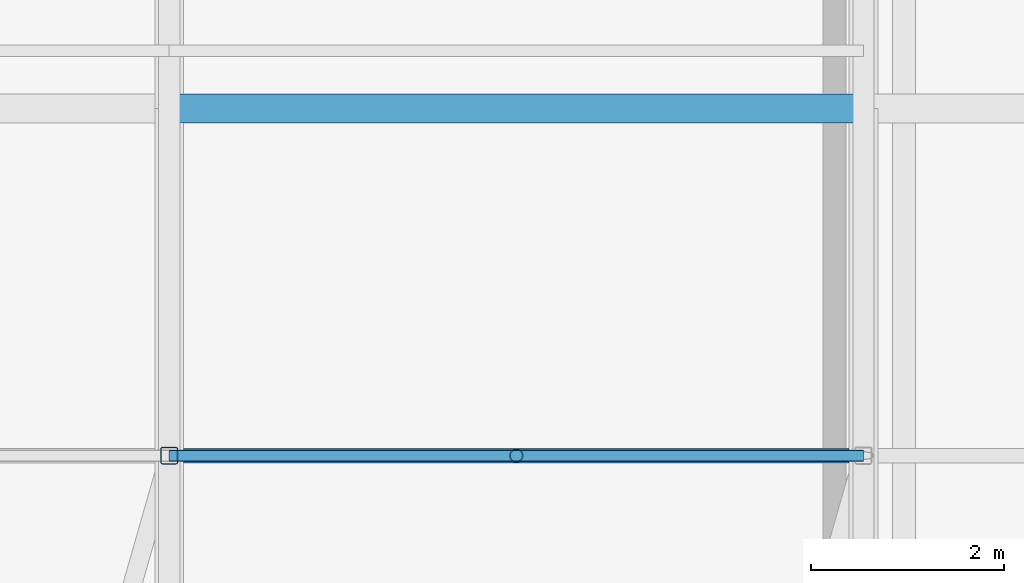
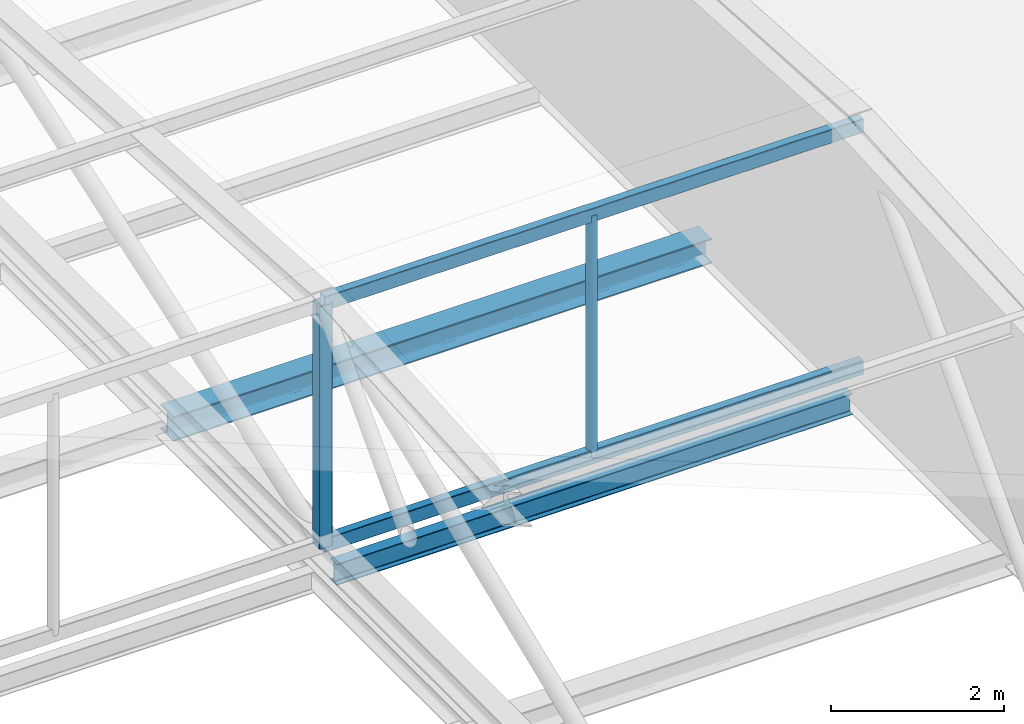
# One storey, part 34 of 76: 4 members, 2 beams.
"""IFC4 building model written with IfcOpenShell, lengths in metres."""

from ifc_helpers import new_model, si_unit, direction, frame, origin, origin_2d, place, context, subcontext, project, spatial, hollow_rectangle, hollow_circle, i_section, extrude, material, material_profile, profile_set, type_object, element, save


model = new_model("IFC4")

# Units and contexts
model_context = context("Model", 3, precision=1e-05, world=origin(), true_north=direction((0.0, 1.0)))
body_context = subcontext(model_context, "Body", "Model", "MODEL_VIEW")
ifc_project = project(units=[si_unit("LENGTHUNIT", "METRE"), si_unit("AREAUNIT", "SQUARE_METRE"), si_unit("VOLUMEUNIT", "CUBIC_METRE"), si_unit("PLANEANGLEUNIT", "RADIAN"), si_unit("MASSUNIT", "GRAM", prefix="KILO")], contexts=[model_context])

# Site, building, storey
site_placement = place(None, origin())
site = spatial("IfcSite", under=ifc_project, at=site_placement, CompositionType="ELEMENT")
building_placement = place(site_placement, origin())
building = spatial("IfcBuilding", under=site, at=building_placement, Name="Zlatovets Crest Museum", CompositionType="ELEMENT")
storey_placement = place(building_placement, frame((0.0, 0.0, 17.10009765625)))
storey = spatial("IfcBuildingStorey", under=building, at=storey_placement, Name="L04", CompositionType="ELEMENT", Elevation=17.10009765625)

# Beams
ifc_material = material(Name="Structural steel S355J2", Category="steel")
ifc_material_profile_1 = material_profile(ifc_material, i_section(OverallWidth=0.300048828125, OverallDepth=0.35009765625, WebThickness=0.010009765625, FlangeThickness=0.017578125, FilletRadius=0.027099609375, at=origin_2d()), Name="HEA 360")
ifc_profile_set_1 = profile_set([ifc_material_profile_1], Name="Structural steel S355J2")
beam_type_1 = type_object("IfcBeamType", Name="Beam_B-03", PredefinedType="BEAM", material=ifc_profile_set_1)
beam_1_placement = place(storey_placement, frame((21.60009765625, 79.199951171875, -0.39501953125), z_axis=(1.0, 0.0, 0.0), x_axis=(0.0, 1.0, 0.0)))
element("IfcBeam", 1, at=beam_1_placement, inside=storey, type_object=beam_type_1, Name="V4 L04 Primary Girder B-03", PredefinedType="BEAM", context=body_context, shape_type="SweptSolid", body=[
    extrude(i_section(OverallWidth=0.300048828125, OverallDepth=0.35009765625, WebThickness=0.010009765625, FlangeThickness=0.017578125, FilletRadius=0.027099609375, at=origin_2d()), origin(), (0.0, 0.0, 1.0), 7.199951171875),
])
ifc_material_profile_2 = material_profile(ifc_material, i_section(OverallWidth=0.14990234375, OverallDepth=0.300048828125, WebThickness=0.007080078125, FlangeThickness=0.0107421875, FilletRadius=0.014892578125, at=origin_2d()), Name="IPE 300")
ifc_profile_set_2 = profile_set([ifc_material_profile_2], Name="Structural steel S355J2")
beam_type_2 = type_object("IfcBeamType", Name="Beam_J-02", PredefinedType="JOIST", material=ifc_profile_set_2)
beam_2_placement = place(storey_placement, frame((21.75, 75.60009765625, -0.3701171875), z_axis=(1.0, 0.0, 0.0), x_axis=(0.0, 1.0, 0.0)))
element("IfcBeam", 2, at=beam_2_placement, inside=storey, type_object=beam_type_2, Name="V4 L04 Composite Joist J-02", PredefinedType="JOIST", context=body_context, shape_type="SweptSolid", body=[
    extrude(i_section(OverallWidth=0.14990234375, OverallDepth=0.300048828125, WebThickness=0.007080078125, FlangeThickness=0.0107421875, FilletRadius=0.014892578125, at=origin_2d()), origin(), (0.0, 0.0, 1.0), 6.89990234375),
])

# Members
ifc_material_profile_3 = material_profile(ifc_material, hollow_rectangle(XDim=0.179931640625, YDim=0.179931640625, WallThickness=0.010009765625, InnerFilletRadius=0.010009765625, OuterFilletRadius=0.02001953125, at=origin_2d()), Name="SHS 180x180x10.0")
ifc_profile_set_3 = profile_set([ifc_material_profile_3], Name="Structural steel S355J2")
member_type_1 = type_object("IfcMemberType", Name="Member_TM-04", PredefinedType="STRUT", material=ifc_profile_set_3)
member_1_placement = place(storey_placement, frame((21.60009765625, 75.60009765625, 0.079833984375), z_axis=(0.0, 0.0, 1.0), x_axis=(1.0, 0.0, 0.0)))
element("IfcMember", 3, at=member_1_placement, inside=storey, type_object=member_type_1, Name="V4 Barrel Vault Web Strut", PredefinedType="STRUT", context=body_context, shape_type="SweptSolid", body=[
    extrude(hollow_rectangle(XDim=0.179931640625, YDim=0.179931640625, WallThickness=0.010009765625, InnerFilletRadius=0.010009765625, OuterFilletRadius=0.02001953125, at=origin_2d()), origin(), (0.0, 0.0, 1.0), 3.420166015625),
])
ifc_material_profile_4 = material_profile(ifc_material, hollow_circle(Radius=0.06982421875, WallThickness=0.008056640625, at=origin_2d()), Name="CHS 139.7x8.0")
ifc_profile_set_4 = profile_set([ifc_material_profile_4], Name="Structural steel S355J2")
member_type_2 = type_object("IfcMemberType", Name="Member_TM-11", PredefinedType="STRUT", material=ifc_profile_set_4)
member_2_placement = place(storey_placement, frame((25.199951171875, 75.60009765625, 0.079833984375), z_axis=(0.0, 0.0, 1.0), x_axis=(1.0, 0.0, 0.0)))
element("IfcMember", 4, at=member_2_placement, inside=storey, type_object=member_type_2, Name="Gallery Vault Crown King-Post", PredefinedType="STRUT", context=body_context, shape_type="SweptSolid", body=[
    extrude(hollow_circle(Radius=0.06982421875, WallThickness=0.008056640625, at=origin_2d()), origin(), (0.0, 0.0, 1.0), 3.420166015625),
])
ifc_material_profile_5 = material_profile(ifc_material, hollow_rectangle(XDim=0.1201171875, YDim=0.199951171875, WallThickness=0.008056640625, InnerFilletRadius=0.008056640625, OuterFilletRadius=0.01611328125, at=origin_2d()), Name="RHS 120x200x8.0")
ifc_profile_set_5 = profile_set([ifc_material_profile_5], Name="Structural steel S355J2")
member_type_3 = type_object("IfcMemberType", Name="Member_TM-12", PredefinedType="CHORD", material=ifc_profile_set_5)
for number, where, z_axis, x_axis, name in (
    (5, (21.60009765625, 75.60009765625, 0.079833984375), (1.0, 0.0, 0.0), (0.0, 1.0, 0.0), "Gallery Vault Longitudinal Tie"),
    (6, (21.60009765625, 75.60009765625, 3.5), (1.0, 0.0, 0.0), (0.0, 1.0, 0.0), "Gallery Vault Crown Ridge Tie"),
):
    element("IfcMember", number, at=place(storey_placement, frame(where, z_axis=z_axis, x_axis=x_axis)), inside=storey, type_object=member_type_3, Name=name, PredefinedType="CHORD", context=body_context, shape_type="SweptSolid", body=[
        extrude(hollow_rectangle(XDim=0.1201171875, YDim=0.199951171875, WallThickness=0.008056640625, InnerFilletRadius=0.008056640625, OuterFilletRadius=0.01611328125, at=origin_2d()), origin(), (0.0, 0.0, 1.0), 7.199951171875),
    ])

save(model, "model.ifc")
